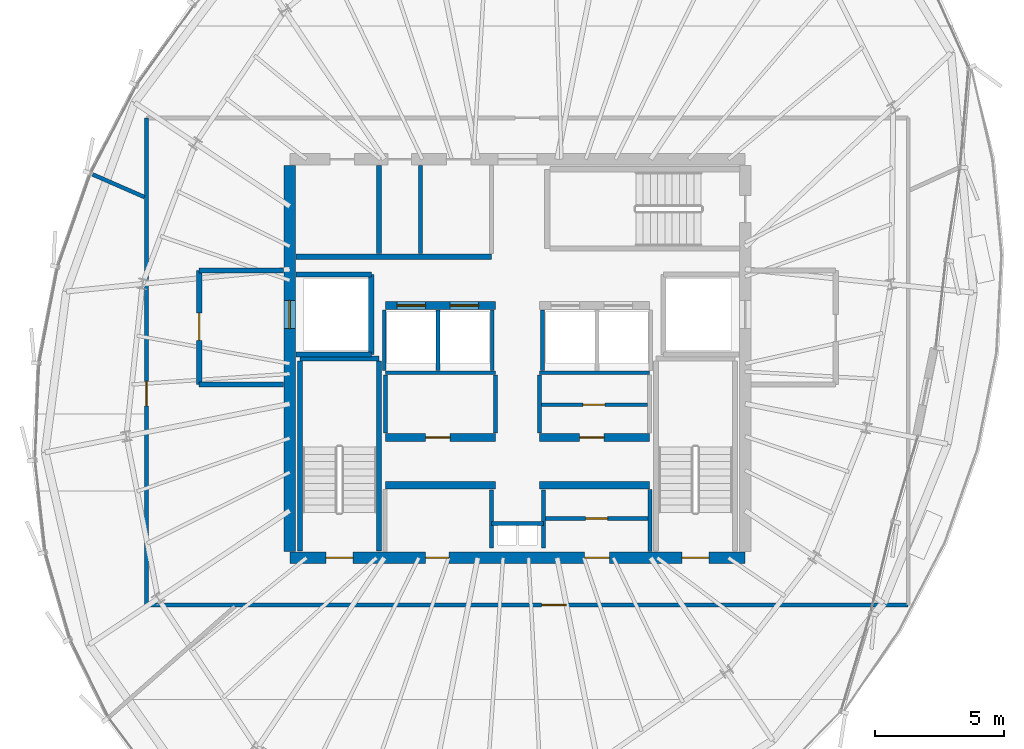
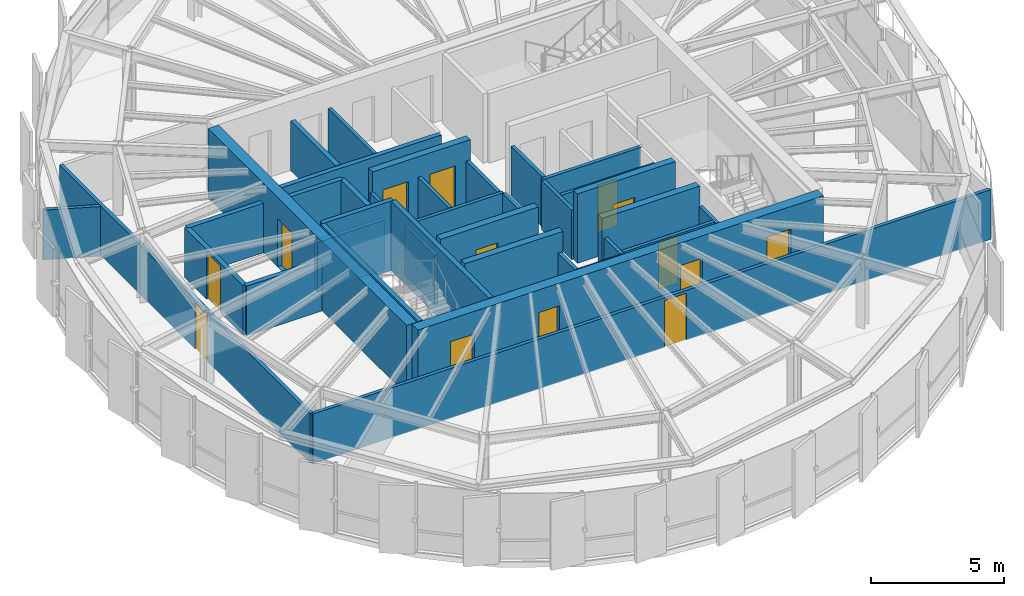
# One storey, part 25 of 31: 37 walls, 14 doors, 14 openings.
"""IFC4 building model written with IfcOpenShell, lengths in metres."""

from ifc_helpers import new_model, si_unit, direction, frame, frame_2d, origin, place, context, subcontext, project, spatial, rectangle, extrude, source, transform, mapped, material, layer, layer_set, type_object, element, fill, save


model = new_model("IFC4")

# Units and contexts
model_context = context("Model", 3, precision=1e-05, world=origin(), true_north=direction((0.0, 1.0)))
body_context = subcontext(model_context, "Body", "Model", "MODEL_VIEW")
ifc_project = project(units=[si_unit("LENGTHUNIT", "METRE"), si_unit("AREAUNIT", "SQUARE_METRE"), si_unit("VOLUMEUNIT", "CUBIC_METRE"), si_unit("PLANEANGLEUNIT", "RADIAN"), si_unit("MASSUNIT", "GRAM", prefix="KILO"), si_unit("THERMODYNAMICTEMPERATUREUNIT", "KELVIN")], contexts=[model_context])

# Site, building, storey
site_placement = place(None, origin())
site = spatial("IfcSite", under=ifc_project, at=site_placement, CompositionType="ELEMENT")
building_placement = place(site_placement, origin())
building = spatial("IfcBuilding", under=site, at=building_placement, Name="Kethvar Cultural Tower", CompositionType="ELEMENT")
storey_placement = place(building_placement, frame((0.0, 0.0, 300.85009765625)))
storey = spatial("IfcBuildingStorey", under=building, at=storey_placement, Name="L80", CompositionType="ELEMENT", Elevation=300.85009765625)

# Wall, openings, doors
ifc_material_1 = material(Name="Concrete C50/60", Category="concrete")
ifc_layer_1 = layer(ifc_material_1, 0.449951171875, Name="Concrete C50/60", Category="concrete")
ifc_layer_set_1 = layer_set([ifc_layer_1], Name="Concrete C50/60 (450 mm)")
wall_type_1 = type_object("IfcWallType", Name="WL-CORE-450", PredefinedType="SHEAR", material=ifc_layer_set_1)
wall_1_placement = place(storey_placement, frame((38.0, 20.10009765625, 0.0), z_axis=(0.0, 0.0, 1.0), x_axis=(1.0, 0.0, 0.0)))
wall_1 = element("IfcWall", 1, at=wall_1_placement, inside=storey, type_object=wall_type_1, Name="L80 Core Shear Wall S", PredefinedType="SHEAR", context=body_context, shape_type="SweptSolid", body=[
    extrude(rectangle(XDim=17.60009765625, YDim=0.449951171875, at=frame_2d((8.800048828125, 0.0))), origin(), (0.0, 0.0, 1.0), 3.184814453125),
])
opening_1_placement = place(wall_1_placement, frame((1.39990234375, 0.0, 0.0)))
opening_1 = element("IfcOpeningElement", 2, at=opening_1_placement, cuts=wall_1, Name="Opening D-L80-S1", PredefinedType="OPENING", context=body_context, shape_type="SweptSolid", body=[
    extrude(rectangle(XDim=1.050048828125, YDim=2.14990234375, at=frame_2d((0.52490234375, 1.074951171875))), frame((0.0, 0.23486328125, 0.0), z_axis=(0.0, -1.0, 0.0), x_axis=(1.0, 0.0, 0.0)), (0.0, 0.0, 1.0), 0.469970703125),
])
opening_2_placement = place(wall_1_placement, frame((15.14990234375, 0.0, 0.0)))
opening_2 = element("IfcOpeningElement", 3, at=opening_2_placement, cuts=wall_1, Name="Opening D-L80-ST2", PredefinedType="OPENING", context=body_context, shape_type="SweptSolid", body=[
    extrude(rectangle(XDim=1.050048828125, YDim=2.14990234375, at=frame_2d((0.52490234375, 1.074951171875))), frame((0.0, 0.23486328125, 0.0), z_axis=(0.0, -1.0, 0.0), x_axis=(1.0, 0.0, 0.0)), (0.0, 0.0, 1.0), 0.469970703125),
])
opening_3_placement = place(wall_1_placement, frame((5.25, 0.0, 0.0)))
opening_3 = element("IfcOpeningElement", 4, at=opening_3_placement, cuts=wall_1, Name="Opening D-L80-V1", PredefinedType="OPENING", context=body_context, shape_type="SweptSolid", body=[
    extrude(rectangle(XDim=0.89990234375, YDim=2.14990234375, at=frame_2d((0.449951171875, 1.074951171875))), frame((0.0, 0.23486328125, 0.0), z_axis=(0.0, -1.0, 0.0), x_axis=(1.0, 0.0, 0.0)), (0.0, 0.0, 1.0), 0.469970703125),
])
opening_4_placement = place(wall_1_placement, frame((11.39990234375, 0.0, 0.0)))
opening_4 = element("IfcOpeningElement", 5, at=opening_4_placement, cuts=wall_1, Name="Opening D-L80-V2", PredefinedType="OPENING", context=body_context, shape_type="SweptSolid", body=[
    extrude(rectangle(XDim=0.949951171875, YDim=2.14990234375, at=frame_2d((0.47509765625, 1.074951171875))), frame((0.0, 0.23486328125, 0.0), z_axis=(0.0, -1.0, 0.0), x_axis=(1.0, 0.0, 0.0)), (0.0, 0.0, 1.0), 0.469970703125),
])
ifc_material_2 = material(Name="Steel S355J2", Category="steel")
door_type_1 = type_object("IfcDoorType", Name="DR-FD60-1050", OperationType="NOTDEFINED", PredefinedType="DOOR", material=ifc_material_2)
shared_shape_1 = source(origin(), body_context, "Body", "SweptSolid", [
    extrude(rectangle(XDim=1.050048828125, YDim=2.14990234375, at=frame_2d((0.52490234375, 1.074951171875))), frame((0.0, 0.02490234375, 0.0), z_axis=(0.0, -1.0, 0.0), x_axis=(1.0, 0.0, 0.0)), (0.0, 0.0, 1.0), 0.050048828125),
])
door_1_placement = place(opening_1_placement, origin())
door_1 = element("IfcDoor", 6, at=door_1_placement, inside=storey, type_object=door_type_1, Name="L80 Exit Stair 1 Door", OperationType="SINGLE_SWING_LEFT", OverallHeight=2.14990234375, OverallWidth=1.050048828125, PredefinedType="DOOR", context=body_context, shape_type="MappedRepresentation", body=[
    mapped(shared_shape_1, transform((0.0, 0.0, 0.0), scale=1.0)),
])
fill(opening_1, door_1)
door_2_placement = place(opening_2_placement, origin())
door_2 = element("IfcDoor", 7, at=door_2_placement, inside=storey, type_object=door_type_1, Name="L80 Exit Stair 2 Door", OperationType="SINGLE_SWING_RIGHT", OverallHeight=2.14990234375, OverallWidth=1.050048828125, PredefinedType="DOOR", context=body_context, shape_type="MappedRepresentation", body=[
    mapped(shared_shape_1, transform((0.0, 0.0, 0.0), scale=1.0)),
])
fill(opening_2, door_2)
ifc_material_3 = material(Name="Architectural Oak Timber", Category="wood")
door_type_2 = type_object("IfcDoorType", Name="DR-FD30-950", OperationType="NOTDEFINED", PredefinedType="DOOR", material=ifc_material_3)
shared_shape_2 = source(origin(), body_context, "Body", "SweptSolid", [
    extrude(rectangle(XDim=0.949951171875, YDim=2.14990234375, at=frame_2d((0.47509765625, 1.074951171875))), frame((0.0, 0.02490234375, 0.0), z_axis=(0.0, -1.0, 0.0), x_axis=(1.0, 0.0, 0.0)), (0.0, 0.0, 1.0), 0.050048828125),
])
door_3_placement = place(opening_4_placement, origin())
door_3 = element("IfcDoor", 8, at=door_3_placement, inside=storey, type_object=door_type_2, Name="L80 Bindery Supply Door", OperationType="SINGLE_SWING_RIGHT", OverallHeight=2.14990234375, OverallWidth=0.949951171875, PredefinedType="DOOR", context=body_context, shape_type="MappedRepresentation", body=[
    mapped(shared_shape_2, transform((0.0, 0.0, 0.0), scale=1.0)),
])
fill(opening_4, door_3)
door_type_3 = type_object("IfcDoorType", Name="DR-FD30-900", OperationType="NOTDEFINED", PredefinedType="DOOR", material=ifc_material_3)
shared_shape_3 = source(origin(), body_context, "Body", "SweptSolid", [
    extrude(rectangle(XDim=0.89990234375, YDim=2.14990234375, at=frame_2d((0.449951171875, 1.074951171875))), frame((0.0, 0.02490234375, 0.0), z_axis=(0.0, -1.0, 0.0), x_axis=(1.0, 0.0, 0.0)), (0.0, 0.0, 1.0), 0.050048828125),
])
door_4_placement = place(opening_3_placement, origin())
door_4 = element("IfcDoor", 9, at=door_4_placement, inside=storey, type_object=door_type_3, Name="L80 Folio Vault Door", OperationType="SINGLE_SWING_LEFT", OverallHeight=2.14990234375, OverallWidth=0.89990234375, PredefinedType="DOOR", context=body_context, shape_type="MappedRepresentation", body=[
    mapped(shared_shape_3, transform((0.0, 0.0, 0.0), scale=1.0)),
])
fill(opening_3, door_4)

# Wall, opening, door
wall_2_placement = place(storey_placement, frame((38.0, 35.260009765625, 0.0), z_axis=(0.0, 0.0, 1.0), x_axis=(0.0, -1.0, 0.0)))
wall_2 = element("IfcWall", 10, at=wall_2_placement, inside=storey, type_object=wall_type_1, Name="L80 Core Shear Wall W", PredefinedType="SHEAR", context=body_context, shape_type="SweptSolid", body=[
    extrude(rectangle(XDim=14.919921875, YDim=0.449951171875, at=frame_2d((7.4599609375, 0.0))), origin(), (0.0, 0.0, 1.0), 3.184814453125),
])
opening_5_placement = place(wall_2_placement, frame((5.2099609375, 0.0, 0.0)))
opening_5 = element("IfcOpeningElement", 11, at=opening_5_placement, cuts=wall_2, Name="Opening LD-1", PredefinedType="OPENING", context=body_context, shape_type="SweptSolid", body=[
    extrude(rectangle(XDim=1.10009765625, YDim=2.199951171875, at=frame_2d((0.550048828125, 1.10009765625))), frame((0.0, 0.23486328125, 0.0), z_axis=(0.0, -1.0, 0.0), x_axis=(1.0, 0.0, 0.0)), (0.0, 0.0, 1.0), 0.469970703125),
])
door_type_4 = type_object("IfcDoorType", Name="DR-LIFT-SLIDE-1100", OperationType="NOTDEFINED", PredefinedType="DOOR", material=ifc_material_2)
shared_shape_4 = source(origin(), body_context, "Body", "SweptSolid", [
    extrude(rectangle(XDim=1.10009765625, YDim=2.199951171875, at=frame_2d((0.550048828125, 1.10009765625))), frame((0.0, 0.02490234375, 0.0), z_axis=(0.0, -1.0, 0.0), x_axis=(1.0, 0.0, 0.0)), (0.0, 0.0, 1.0), 0.050048828125),
])
door_5_placement = place(opening_5_placement, origin())
door_5 = element("IfcDoor", 12, at=door_5_placement, inside=storey, type_object=door_type_4, Name="L80 Firefighting Lift Landing Door FFL-01", OperationType="SLIDING_TO_LEFT", OverallHeight=2.199951171875, OverallWidth=1.10009765625, PredefinedType="DOOR", context=body_context, shape_type="MappedRepresentation", body=[
    mapped(shared_shape_4, transform((0.0, 0.0, 0.0), scale=1.0)),
])
fill(opening_5, door_5)

# Walls
ifc_material_4 = material(Name="Gypsum Fireboard Partition")
ifc_layer_2 = layer(ifc_material_4, 0.14990234375, Name="Gypsum Fireboard Partition")
ifc_layer_set_2 = layer_set([ifc_layer_2], Name="Gypsum Fireboard Partition (150 mm)")
wall_type_2 = type_object("IfcWallType", Name="WL-FIRE-150", PredefinedType="PARTITIONING", material=ifc_layer_set_2)
wall_3_placement = place(storey_placement, frame((45.800048828125, 21.419921875, 0.0), z_axis=(0.0, 0.0, 1.0), x_axis=(1.0, 0.0, 0.0)))
element("IfcWall", 13, at=wall_3_placement, inside=storey, type_object=wall_type_2, Name="L80 Core Riser Wall", PredefinedType="PARTITIONING", context=body_context, shape_type="SweptSolid", body=[
    extrude(rectangle(XDim=2.0, YDim=0.14990234375, at=frame_2d((1.0, 0.0))), origin(), (0.0, 0.0, 1.0), 2.27978515625),
])
for number, where, z_axis, x_axis, name in (
    (14, (45.800048828125, 20.47998046875, 0.0), (0.0, 0.0, 1.0), (0.0, 1.0, 0.0), "L80 Core Riser West Wall"),
    (15, (47.800048828125, 20.47998046875, 0.0), (0.0, 0.0, 1.0), (0.0, 1.0, 0.0), "L80 Core Riser East Wall"),
):
    element("IfcWall", number, at=place(storey_placement, frame(where, z_axis=z_axis, x_axis=x_axis)), inside=storey, type_object=wall_type_2, Name=name, PredefinedType="PARTITIONING", context=body_context, shape_type="SweptSolid", body=[
        extrude(rectangle(XDim=2.239990234375, YDim=0.14990234375, at=frame_2d((1.1201171875, 0.0))), origin(), (0.0, 0.0, 1.0), 2.27978515625),
    ])
wall_4_placement = place(storey_placement, frame((51.919921875, 20.3349609375, 0.0), z_axis=(0.0, 0.0, 1.0), x_axis=(0.0, 1.0, 0.0)))
element("IfcWall", 16, at=wall_4_placement, inside=storey, type_object=wall_type_2, Name="L80 Reclaimed East Outer Wall", PredefinedType="PARTITIONING", context=body_context, shape_type="SweptSolid", body=[
    extrude(rectangle(XDim=2.39501953125, YDim=0.14990234375, at=frame_2d((1.197509765625, 0.0))), origin(), (0.0, 0.0, 1.0), 2.27978515625),
])

# Wall, opening, door
wall_5_placement = place(storey_placement, frame((47.8798828125, 21.6201171875, 0.0), z_axis=(0.0, 0.0, 1.0), x_axis=(1.0, 0.0, 0.0)))
wall_5 = element("IfcWall", 17, at=wall_5_placement, inside=storey, type_object=wall_type_2, Name="L80 Pantry Gallery Wall E", PredefinedType="PARTITIONING", context=body_context, shape_type="SweptSolid", body=[
    extrude(rectangle(XDim=3.960205078125, YDim=0.14990234375, at=frame_2d((1.97998046875, 0.0))), origin(), (0.0, 0.0, 1.0), 2.27978515625),
])
opening_6_placement = place(wall_5_placement, frame((1.550048828125, 0.0, 0.0)))
opening_6 = element("IfcOpeningElement", 18, at=opening_6_placement, cuts=wall_5, Name="Opening D-L80-V3", PredefinedType="OPENING", context=body_context, shape_type="SweptSolid", body=[
    extrude(rectangle(XDim=0.85009765625, YDim=2.14990234375, at=frame_2d((0.425048828125, 1.074951171875))), frame((0.0, 0.0849609375, 0.0), z_axis=(0.0, -1.0, 0.0), x_axis=(1.0, 0.0, 0.0)), (0.0, 0.0, 1.0), 0.169921875),
])
door_type_5 = type_object("IfcDoorType", Name="DR-FD30-850", OperationType="NOTDEFINED", PredefinedType="DOOR", material=ifc_material_2)
shared_shape_5 = source(origin(), body_context, "Body", "SweptSolid", [
    extrude(rectangle(XDim=0.85009765625, YDim=2.14990234375, at=frame_2d((0.425048828125, 1.074951171875))), frame((0.0, 0.02490234375, 0.0), z_axis=(0.0, -1.0, 0.0), x_axis=(1.0, 0.0, 0.0)), (0.0, 0.0, 1.0), 0.050048828125),
])
door_6_placement = place(opening_6_placement, origin())
door_6 = element("IfcDoor", 19, at=door_6_placement, inside=storey, type_object=door_type_5, Name="L80 Inner Pantry Gallery Door", OperationType="SINGLE_SWING_RIGHT", OverallHeight=2.14990234375, OverallWidth=0.85009765625, PredefinedType="DOOR", context=body_context, shape_type="MappedRepresentation", body=[
    mapped(shared_shape_5, transform((0.0, 0.0, 0.0), scale=1.0)),
])
fill(opening_6, door_6)

# Walls
for number, where, z_axis, x_axis, name in (
    (20, (41.699951171875, 27.25, 0.0), (0.0, 0.0, 1.0), (1.0, 0.0, 0.0), "L80 Reclaimed Mid Wall W"),
    (21, (47.64990234375, 27.25, 0.0), (0.0, 0.0, 1.0), (1.0, 0.0, 0.0), "L80 Reclaimed Mid Wall E"),
):
    element("IfcWall", number, at=place(storey_placement, frame(where, z_axis=z_axis, x_axis=x_axis)), inside=storey, type_object=wall_type_2, Name=name, PredefinedType="PARTITIONING", context=body_context, shape_type="SweptSolid", body=[
        extrude(rectangle(XDim=4.25, YDim=0.14990234375, at=frame_2d((2.125, 0.0))), origin(), (0.0, 0.0, 1.0), 2.27978515625),
    ])
for number, where, z_axis, x_axis, name in (
    (22, (41.699951171875, 24.919921875, 0.0), (0.0, 0.0, 1.0), (0.0, 1.0, 0.0), "L80 Reclaimed Mid Outer W"),
    (23, (45.949951171875, 24.919921875, 0.0), (0.0, 0.0, 1.0), (0.0, 1.0, 0.0), "L80 Reclaimed Mid Spine W"),
    (24, (47.64990234375, 24.919921875, 0.0), (0.0, 0.0, 1.0), (0.0, 1.0, 0.0), "L80 Reclaimed Mid Spine E"),
):
    element("IfcWall", number, at=place(storey_placement, frame(where, z_axis=z_axis, x_axis=x_axis)), inside=storey, type_object=wall_type_2, Name=name, PredefinedType="PARTITIONING", context=body_context, shape_type="SweptSolid", body=[
        extrude(rectangle(XDim=2.239990234375, YDim=0.14990234375, at=frame_2d((1.1201171875, 0.0))), origin(), (0.0, 0.0, 1.0), 2.27978515625),
    ])

# Wall, opening, door
wall_6_placement = place(storey_placement, frame((47.72998046875, 26.010009765625, 0.0), z_axis=(0.0, 0.0, 1.0), x_axis=(1.0, 0.0, 0.0)))
wall_6 = element("IfcWall", 25, at=wall_6_placement, inside=storey, type_object=wall_type_2, Name="L80 Mid Gallery Wall E", PredefinedType="PARTITIONING", context=body_context, shape_type="SweptSolid", body=[
    extrude(rectangle(XDim=4.090087890625, YDim=0.14990234375, at=frame_2d((2.044921875, 0.0))), origin(), (0.0, 0.0, 1.0), 2.27978515625),
])
opening_7_placement = place(wall_6_placement, frame((1.60009765625, 0.0, 0.0)))
opening_7 = element("IfcOpeningElement", 26, at=opening_7_placement, cuts=wall_6, Name="Opening D-L80-M3", PredefinedType="OPENING", context=body_context, shape_type="SweptSolid", body=[
    extrude(rectangle(XDim=0.85009765625, YDim=2.14990234375, at=frame_2d((0.425048828125, 1.074951171875))), frame((0.0, 0.0849609375, 0.0), z_axis=(0.0, -1.0, 0.0), x_axis=(1.0, 0.0, 0.0)), (0.0, 0.0, 1.0), 0.169921875),
])
door_7_placement = place(opening_7_placement, origin())
door_7 = element("IfcDoor", 27, at=door_7_placement, inside=storey, type_object=door_type_5, Name="L80 UPS Inner Door", OperationType="SINGLE_SWING_RIGHT", OverallHeight=2.14990234375, OverallWidth=0.85009765625, PredefinedType="DOOR", context=body_context, shape_type="MappedRepresentation", body=[
    mapped(shared_shape_5, transform((0.0, 0.0, 0.0), scale=1.0)),
])
fill(opening_7, door_7)

# Walls
for number, where, z_axis, x_axis, name in (
    (28, (41.64990234375, 27.340087890625, 0.0), (0.0, 0.0, 1.0), (0.0, 1.0, 0.0), "L80 High-Rise Lift Shaft Outer Wall W"),
    (29, (43.72509765625, 27.340087890625, 0.0), (0.0, 0.0, 1.0), (0.0, 1.0, 0.0), "L80 High-Rise Lift Shaft Divider W"),
    (30, (45.824951171875, 27.340087890625, 0.0), (0.0, 0.0, 1.0), (0.0, 1.0, 0.0), "L80 High-Rise Lift Shaft Concourse Wall W"),
    (31, (47.77490234375, 27.340087890625, 0.0), (0.0, 0.0, 1.0), (0.0, 1.0, 0.0), "L80 High-Rise Lift Shaft Concourse Wall E"),
):
    element("IfcWall", number, at=place(storey_placement, frame(where, z_axis=z_axis, x_axis=x_axis)), inside=storey, type_object=wall_type_2, Name=name, PredefinedType="PARTITIONING", context=body_context, shape_type="SweptSolid", body=[
        extrude(rectangle(XDim=2.33984375, YDim=0.14990234375, at=frame_2d((1.169921875, 0.0))), origin(), (0.0, 0.0, 1.0), 2.27978515625),
    ])

# Wall, opening, door
wall_7_placement = place(storey_placement, frame((32.4599609375, 18.26904296875, 0.0), z_axis=(0.0, 0.0, 1.0), x_axis=(1.0, 0.0, 0.0)))
wall_7 = element("IfcWall", 32, at=wall_7_placement, inside=storey, type_object=wall_type_2, Name="L80 Corridor Rated Wall S", PredefinedType="PARTITIONING", context=body_context, shape_type="SweptSolid", body=[
    extrude(rectangle(XDim=29.442138671875, YDim=0.14990234375, at=frame_2d((14.72119140625, 0.0))), origin(), (0.0, 0.0, 1.0), 2.27978515625),
])
opening_8_placement = place(wall_7_placement, frame((15.274169921875, 0.0, 0.0)))
opening_8 = element("IfcOpeningElement", 33, at=opening_8_placement, cuts=wall_7, Name="Opening D-L80-01", PredefinedType="OPENING", context=body_context, shape_type="SweptSolid", body=[
    extrude(rectangle(XDim=0.949951171875, YDim=2.14990234375, at=frame_2d((0.47509765625, 1.074951171875))), frame((0.0, 0.0849609375, 0.0), z_axis=(0.0, -1.0, 0.0), x_axis=(1.0, 0.0, 0.0)), (0.0, 0.0, 1.0), 0.169921875),
])
door_8_placement = place(opening_8_placement, origin())
door_8 = element("IfcDoor", 34, at=door_8_placement, inside=storey, type_object=door_type_2, Name="L80 Public Sky Observatory Exhibition Gallery 01 Door", OperationType="SINGLE_SWING_LEFT", OverallHeight=2.14990234375, OverallWidth=0.949951171875, PredefinedType="DOOR", context=body_context, shape_type="MappedRepresentation", body=[
    mapped(shared_shape_2, transform((0.0, 0.0, 0.0), scale=1.0)),
])
fill(opening_8, door_8)

wall_8_placement = place(storey_placement, frame((32.4599609375, 37.10009765625, 0.0), z_axis=(0.0, 0.0, 1.0), x_axis=(0.0, -1.0, 0.0)))
wall_8 = element("IfcWall", 35, at=wall_8_placement, inside=storey, type_object=wall_type_2, Name="L80 Corridor Rated Wall W", PredefinedType="PARTITIONING", context=body_context, shape_type="SweptSolid", body=[
    extrude(rectangle(XDim=18.8310546875, YDim=0.14990234375, at=frame_2d((9.41552734375, 0.0))), origin(), (0.0, 0.0, 1.0), 2.27978515625),
])
opening_9_placement = place(wall_8_placement, frame((10.185302734375, 0.0, 0.0)))
opening_9 = element("IfcOpeningElement", 36, at=opening_9_placement, cuts=wall_8, Name="Opening D-L80-03", PredefinedType="OPENING", context=body_context, shape_type="SweptSolid", body=[
    extrude(rectangle(XDim=0.949951171875, YDim=2.14990234375, at=frame_2d((0.47509765625, 1.074951171875))), frame((0.0, 0.0849609375, 0.0), z_axis=(0.0, -1.0, 0.0), x_axis=(1.0, 0.0, 0.0)), (0.0, 0.0, 1.0), 0.169921875),
])
door_9_placement = place(opening_9_placement, origin())
door_9 = element("IfcDoor", 37, at=door_9_placement, inside=storey, type_object=door_type_2, Name="L80 Cultural Lecture Seminar Room 03 Door", OperationType="SINGLE_SWING_LEFT", OverallHeight=2.14990234375, OverallWidth=0.949951171875, PredefinedType="DOOR", context=body_context, shape_type="MappedRepresentation", body=[
    mapped(shared_shape_2, transform((0.0, 0.0, 0.0), scale=1.0)),
])
fill(opening_9, door_9)

# Walls
ifc_material_5 = material(Name="Concrete C40/50", Category="concrete")
ifc_layer_3 = layer(ifc_material_5, 0.199951171875, Name="Concrete C40/50", Category="concrete")
ifc_layer_set_3 = layer_set([ifc_layer_3], Name="Concrete C40/50 (200 mm)")
wall_type_3 = type_object("IfcWallType", Name="WL-FIRE-200", PredefinedType="PARTITIONING", material=ifc_layer_set_3)
wall_9_placement = place(storey_placement, frame((41.14990234375, 27.949951171875, 0.0), z_axis=(0.0, 0.0, 1.0), x_axis=(0.0, 1.0, 0.0)))
element("IfcWall", 38, at=wall_9_placement, inside=storey, type_object=wall_type_3, Name="L80 FFL-01 Shaft Inner Wall", PredefinedType="PARTITIONING", context=body_context, shape_type="SweptSolid", body=[
    extrude(rectangle(XDim=3.10009765625, YDim=0.199951171875, at=frame_2d((1.550048828125, 0.0))), origin(), (0.0, 0.0, 1.0), 2.27978515625),
])
for number, where, z_axis, x_axis, name in (
    (39, (38.235107421875, 27.949951171875, 0.0), (0.0, 0.0, 1.0), (1.0, 0.0, 0.0), "L80 FFL-01 Shaft South Wall"),
    (40, (38.235107421875, 31.050048828125, 0.0), (0.0, 0.0, 1.0), (1.0, 0.0, 0.0), "L80 FFL-01 Shaft North Wall"),
):
    element("IfcWall", number, at=place(storey_placement, frame(where, z_axis=z_axis, x_axis=x_axis)), inside=storey, type_object=wall_type_3, Name=name, PredefinedType="PARTITIONING", context=body_context, shape_type="SweptSolid", body=[
        extrude(rectangle(XDim=2.914794921875, YDim=0.199951171875, at=frame_2d((1.45751953125, 0.0))), origin(), (0.0, 0.0, 1.0), 2.27978515625),
    ])

# Wall, opening, door
wall_10_placement = place(storey_placement, frame((34.5, 31.199951171875, 0.0), z_axis=(0.0, 0.0, 1.0), x_axis=(0.0, -1.0, 0.0)))
wall_10 = element("IfcWall", 41, at=wall_10_placement, inside=storey, type_object=wall_type_3, Name="L80 Firefighting Lobby 1 Wall", PredefinedType="PARTITIONING", context=body_context, shape_type="SweptSolid", body=[
    extrude(rectangle(XDim=4.39990234375, YDim=0.199951171875, at=frame_2d((2.199951171875, 0.0))), origin(), (0.0, 0.0, 1.0), 2.27978515625),
])
opening_10_placement = place(wall_10_placement, frame((1.64990234375, 0.0, 0.0)))
opening_10 = element("IfcOpeningElement", 42, at=opening_10_placement, cuts=wall_10, Name="Opening D-L80-F1", PredefinedType="OPENING", context=body_context, shape_type="SweptSolid", body=[
    extrude(rectangle(XDim=1.050048828125, YDim=2.14990234375, at=frame_2d((0.52490234375, 1.074951171875))), frame((0.0, 0.10986328125, 0.0), z_axis=(0.0, -1.0, 0.0), x_axis=(1.0, 0.0, 0.0)), (0.0, 0.0, 1.0), 0.219970703125),
])
door_10_placement = place(opening_10_placement, origin())
door_10 = element("IfcDoor", 43, at=door_10_placement, inside=storey, type_object=door_type_1, Name="L80 Firefighting Lobby 1 Fire Door", OperationType="SINGLE_SWING_LEFT", OverallHeight=2.14990234375, OverallWidth=1.050048828125, PredefinedType="DOOR", context=body_context, shape_type="MappedRepresentation", body=[
    mapped(shared_shape_1, transform((0.0, 0.0, 0.0), scale=1.0)),
])
fill(opening_10, door_10)

# Walls
for number, where, z_axis, x_axis, name in (
    (44, (34.5, 26.800048828125, 0.0), (0.0, 0.0, 1.0), (1.0, 0.0, 0.0), "L80 FF Lobby 1 South Wall"),
    (45, (34.5, 31.199951171875, 0.0), (0.0, 0.0, 1.0), (1.0, 0.0, 0.0), "L80 FF Lobby 1 North Wall"),
):
    element("IfcWall", number, at=place(storey_placement, frame(where, z_axis=z_axis, x_axis=x_axis)), inside=storey, type_object=wall_type_3, Name=name, PredefinedType="PARTITIONING", context=body_context, shape_type="SweptSolid", body=[
        extrude(rectangle(XDim=3.264892578125, YDim=0.199951171875, at=frame_2d((1.63232421875, 0.0))), origin(), (0.0, 0.0, 1.0), 2.27978515625),
    ])
wall_11_placement = place(storey_placement, frame((41.449951171875, 31.85009765625, 0.0), z_axis=(0.0, 0.0, 1.0), x_axis=(0.0, 1.0, 0.0)))
element("IfcWall", 46, at=wall_11_placement, inside=storey, type_object=wall_type_3, Name="L80 NW Core Pocket Wall", PredefinedType="PARTITIONING", context=body_context, shape_type="SweptSolid", body=[
    extrude(rectangle(XDim=3.414794921875, YDim=0.199951171875, at=frame_2d((1.70751953125, 0.0))), origin(), (0.0, 0.0, 1.0), 2.27978515625),
])
wall_12_placement = place(storey_placement, frame((38.235107421875, 31.72998046875, 0.0), z_axis=(0.0, 0.0, 1.0), x_axis=(1.0, 0.0, 0.0)))
element("IfcWall", 47, at=wall_12_placement, inside=storey, type_object=wall_type_3, Name="L80 North Core Sanitary South Wall", PredefinedType="PARTITIONING", context=body_context, shape_type="SweptSolid", body=[
    extrude(rectangle(XDim=7.56494140625, YDim=0.199951171875, at=frame_2d((3.782470703125, 0.0))), origin(), (0.0, 0.0, 1.0), 2.27978515625),
])
ifc_material_6 = material(Name="Gypsum Acoustic Partition")
ifc_layer_4 = layer(ifc_material_6, 0.14990234375, Name="Gypsum Acoustic Partition")
ifc_layer_set_4 = layer_set([ifc_layer_4], Name="Gypsum Acoustic Partition (150 mm)")
wall_type_4 = type_object("IfcWallType", Name="WL-PART-150", PredefinedType="PARTITIONING", material=ifc_layer_set_4)
wall_13_placement = place(storey_placement, frame((32.38671875, 34.037353515625, 0.0), z_axis=(0.0, 0.0, 1.0), x_axis=(-0.916516272794, 0.399997402121, 0.0)))
element("IfcWall", 48, at=wall_13_placement, inside=storey, type_object=wall_type_4, Name="L80 Radial Partition Wall 04", PredefinedType="PARTITIONING", context=body_context, shape_type="SweptSolid", body=[
    extrude(rectangle(XDim=2.183349609375, YDim=0.14990234375, at=frame_2d((1.091796875, 0.0))), origin(), (0.0, 0.0, 1.0), 2.27978515625),
])
ifc_material_7 = material(Name="Moisture-Resistant Sanitary Chase Wall")
ifc_layer_5 = layer(ifc_material_7, 0.14990234375, Name="Moisture-Resistant Sanitary Chase Wall")
ifc_layer_set_5 = layer_set([ifc_layer_5], Name="Moisture-Resistant Sanitary Chase Wall (150 mm)")
wall_type_5 = type_object("IfcWallType", Name="WL-PLUMB-150", PredefinedType="PLUMBINGWALL", material=ifc_layer_set_5)
wall_14_placement = place(storey_placement, frame((43.050048828125, 31.85009765625, 0.0), z_axis=(0.0, 0.0, 1.0), x_axis=(0.0, 1.0, 0.0)))
element("IfcWall", 49, at=wall_14_placement, inside=storey, type_object=wall_type_5, Name="L80 Sanitary Plumbing Wall", PredefinedType="PLUMBINGWALL", context=body_context, shape_type="SweptSolid", body=[
    extrude(rectangle(XDim=3.414794921875, YDim=0.14990234375, at=frame_2d((1.70751953125, 0.0))), origin(), (0.0, 0.0, 1.0), 2.27978515625),
])
ifc_layer_6 = layer(ifc_material_1, 0.300048828125, Name="Concrete C50/60", Category="concrete")
ifc_layer_set_6 = layer_set([ifc_layer_6], Name="Concrete C50/60 (300 mm)")
wall_type_6 = type_object("IfcWallType", Name="WL-SHAFT-300", PredefinedType="SHEAR", material=ifc_layer_set_6)
for number, where, z_axis, x_axis, name in (
    (50, (41.699951171875, 22.89990234375, 0.0), (0.0, 0.0, 1.0), (1.0, 0.0, 0.0), "L80 Core Lift Spine Wall MID1W"),
    (51, (47.64990234375, 22.89990234375, 0.0), (0.0, 0.0, 1.0), (1.0, 0.0, 0.0), "L80 Core Lift Spine Wall MID1E"),
):
    element("IfcWall", number, at=place(storey_placement, frame(where, z_axis=z_axis, x_axis=x_axis)), inside=storey, type_object=wall_type_6, Name=name, PredefinedType="SHEAR", context=body_context, shape_type="SweptSolid", body=[
        extrude(rectangle(XDim=4.25, YDim=0.300048828125, at=frame_2d((2.125, 0.0))), origin(), (0.0, 0.0, 1.0), 3.184814453125),
    ])

# Wall, opening, door
wall_15_placement = place(storey_placement, frame((41.699951171875, 24.75, 0.0), z_axis=(0.0, 0.0, 1.0), x_axis=(1.0, 0.0, 0.0)))
wall_15 = element("IfcWall", 52, at=wall_15_placement, inside=storey, type_object=wall_type_6, Name="L80 Core Lift Spine Wall MID2W", PredefinedType="SHEAR", context=body_context, shape_type="SweptSolid", body=[
    extrude(rectangle(XDim=4.25, YDim=0.300048828125, at=frame_2d((2.125, 0.0))), origin(), (0.0, 0.0, 1.0), 3.184814453125),
])
opening_11_placement = place(wall_15_placement, frame((1.550048828125, 0.0, 0.0)))
opening_11 = element("IfcOpeningElement", 53, at=opening_11_placement, cuts=wall_15, Name="Opening D-L80-M1", PredefinedType="OPENING", context=body_context, shape_type="SweptSolid", body=[
    extrude(rectangle(XDim=0.949951171875, YDim=2.14990234375, at=frame_2d((0.47509765625, 1.074951171875))), frame((0.0, 0.159912109375, 0.0), z_axis=(0.0, -1.0, 0.0), x_axis=(1.0, 0.0, 0.0)), (0.0, 0.0, 1.0), 0.320068359375),
])
door_11_placement = place(opening_11_placement, origin())
door_11 = element("IfcDoor", 54, at=door_11_placement, inside=storey, type_object=door_type_2, Name="L80 Broadcast Rack Door", OperationType="SINGLE_SWING_LEFT", OverallHeight=2.14990234375, OverallWidth=0.949951171875, PredefinedType="DOOR", context=body_context, shape_type="MappedRepresentation", body=[
    mapped(shared_shape_2, transform((0.0, 0.0, 0.0), scale=1.0)),
])
fill(opening_11, door_11)

wall_16_placement = place(storey_placement, frame((47.64990234375, 24.75, 0.0), z_axis=(0.0, 0.0, 1.0), x_axis=(1.0, 0.0, 0.0)))
wall_16 = element("IfcWall", 55, at=wall_16_placement, inside=storey, type_object=wall_type_6, Name="L80 Core Lift Spine Wall MID2E", PredefinedType="SHEAR", context=body_context, shape_type="SweptSolid", body=[
    extrude(rectangle(XDim=4.25, YDim=0.300048828125, at=frame_2d((2.125, 0.0))), origin(), (0.0, 0.0, 1.0), 3.184814453125),
])
opening_12_placement = place(wall_16_placement, frame((1.550048828125, 0.0, 0.0)))
opening_12 = element("IfcOpeningElement", 56, at=opening_12_placement, cuts=wall_16, Name="Opening D-L80-M2", PredefinedType="OPENING", context=body_context, shape_type="SweptSolid", body=[
    extrude(rectangle(XDim=0.949951171875, YDim=2.14990234375, at=frame_2d((0.47509765625, 1.074951171875))), frame((0.0, 0.159912109375, 0.0), z_axis=(0.0, -1.0, 0.0), x_axis=(1.0, 0.0, 0.0)), (0.0, 0.0, 1.0), 0.320068359375),
])
door_12_placement = place(opening_12_placement, origin())
door_12 = element("IfcDoor", 57, at=door_12_placement, inside=storey, type_object=door_type_2, Name="L80 UPS Closet Door", OperationType="SINGLE_SWING_RIGHT", OverallHeight=2.14990234375, OverallWidth=0.949951171875, PredefinedType="DOOR", context=body_context, shape_type="MappedRepresentation", body=[
    mapped(shared_shape_2, transform((0.0, 0.0, 0.0), scale=1.0)),
])
fill(opening_12, door_12)

# Wall, openings, doors
wall_17_placement = place(storey_placement, frame((41.699951171875, 29.85009765625, 0.0), z_axis=(0.0, 0.0, 1.0), x_axis=(1.0, 0.0, 0.0)))
wall_17 = element("IfcWall", 58, at=wall_17_placement, inside=storey, type_object=wall_type_6, Name="L80 Core Lift Spine Wall MID3W", PredefinedType="SHEAR", context=body_context, shape_type="SweptSolid", body=[
    extrude(rectangle(XDim=4.25, YDim=0.300048828125, at=frame_2d((2.125, 0.0))), origin(), (0.0, 0.0, 1.0), 3.184814453125),
])
opening_13_placement = place(wall_17_placement, frame((0.449951171875, 0.0, 0.0)))
opening_13 = element("IfcOpeningElement", 59, at=opening_13_placement, cuts=wall_17, Name="Opening LD-H1", PredefinedType="OPENING", context=body_context, shape_type="SweptSolid", body=[
    extrude(rectangle(XDim=1.10009765625, YDim=2.199951171875, at=frame_2d((0.550048828125, 1.10009765625))), frame((0.0, 0.159912109375, 0.0), z_axis=(0.0, -1.0, 0.0), x_axis=(1.0, 0.0, 0.0)), (0.0, 0.0, 1.0), 0.320068359375),
])
opening_14_placement = place(wall_17_placement, frame((2.5, 0.0, 0.0)))
opening_14 = element("IfcOpeningElement", 60, at=opening_14_placement, cuts=wall_17, Name="Opening LD-H2", PredefinedType="OPENING", context=body_context, shape_type="SweptSolid", body=[
    extrude(rectangle(XDim=1.10009765625, YDim=2.199951171875, at=frame_2d((0.550048828125, 1.10009765625))), frame((0.0, 0.159912109375, 0.0), z_axis=(0.0, -1.0, 0.0), x_axis=(1.0, 0.0, 0.0)), (0.0, 0.0, 1.0), 0.320068359375),
])
door_13_placement = place(opening_13_placement, origin())
door_13 = element("IfcDoor", 61, at=door_13_placement, inside=storey, type_object=door_type_4, Name="L80 High-Rise Lift Landing Door H1", OperationType="SLIDING_TO_LEFT", OverallHeight=2.199951171875, OverallWidth=1.10009765625, PredefinedType="DOOR", context=body_context, shape_type="MappedRepresentation", body=[
    mapped(shared_shape_4, transform((0.0, 0.0, 0.0), scale=1.0)),
])
fill(opening_13, door_13)
door_14_placement = place(opening_14_placement, origin())
door_14 = element("IfcDoor", 62, at=door_14_placement, inside=storey, type_object=door_type_4, Name="L80 High-Rise Lift Landing Door H2", OperationType="SLIDING_TO_LEFT", OverallHeight=2.199951171875, OverallWidth=1.10009765625, PredefinedType="DOOR", context=body_context, shape_type="MappedRepresentation", body=[
    mapped(shared_shape_4, transform((0.0, 0.0, 0.0), scale=1.0)),
])
fill(opening_14, door_14)

# Walls
ifc_layer_7 = layer(ifc_material_1, 0.199951171875, Name="Concrete C50/60", Category="concrete")
ifc_layer_set_7 = layer_set([ifc_layer_7], Name="Concrete C50/60 (200 mm)")
wall_type_7 = type_object("IfcWallType", Name="WL-STSHAFT-200", PredefinedType="SHEAR", material=ifc_layer_set_7)
wall_18_placement = place(storey_placement, frame((38.389892578125, 27.800048828125, 0.0), z_axis=(0.0, 0.0, 1.0), x_axis=(1.0, 0.0, 0.0)))
element("IfcWall", 63, at=wall_18_placement, inside=storey, type_object=wall_type_7, Name="L80 ST-01 Stair Shaft Wall FAR", PredefinedType="SHEAR", context=body_context, shape_type="SweptSolid", body=[
    extrude(rectangle(XDim=3.06005859375, YDim=0.199951171875, at=frame_2d((1.530029296875, 0.0))), origin(), (0.0, 0.0, 1.0), 3.184814453125),
])
for number, where, z_axis, x_axis, name in (
    (64, (41.449951171875, 27.699951171875, 0.0), (0.0, 0.0, 1.0), (0.0, -1.0, 0.0), "L80 ST-01 Stair Shaft Wall LEFT"),
    (65, (38.389892578125, 20.35009765625, 0.0), (0.0, 0.0, 1.0), (0.0, 1.0, 0.0), "L80 ST-01 Stair Shaft Wall RIGHT"),
):
    element("IfcWall", number, at=place(storey_placement, frame(where, z_axis=z_axis, x_axis=x_axis)), inside=storey, type_object=wall_type_7, Name=name, PredefinedType="SHEAR", context=body_context, shape_type="SweptSolid", body=[
        extrude(rectangle(XDim=7.349853515625, YDim=0.199951171875, at=frame_2d((3.6748046875, 0.0))), origin(), (0.0, 0.0, 1.0), 3.184814453125),
    ])

save(model, "model.ifc")
